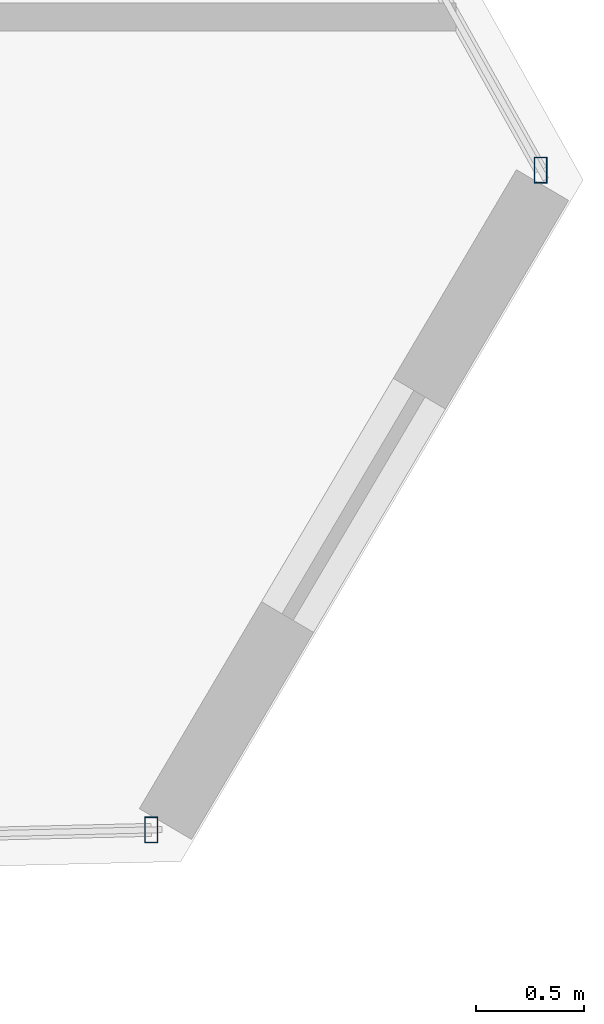
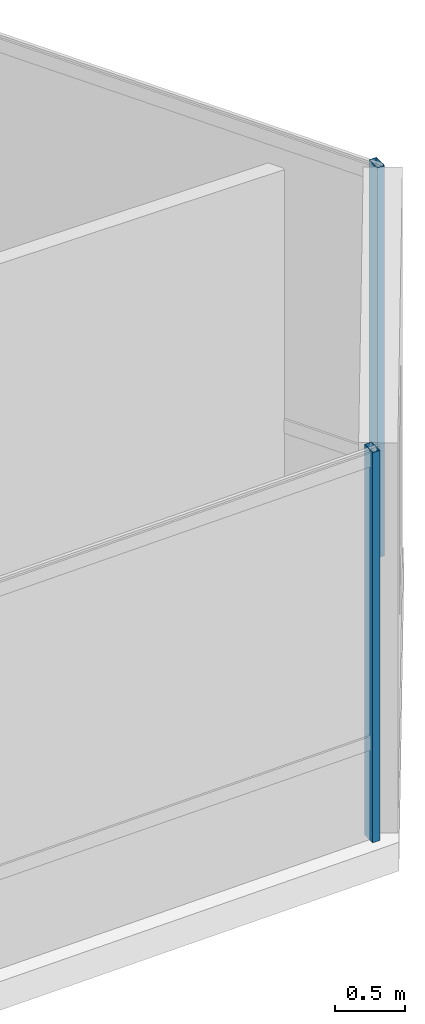
# One storey, part 26 of 47: 2 members, 2 elements without a shape of their own.
"""IFC4 building model written with IfcOpenShell, lengths in metres."""

from ifc_helpers import new_model, si_unit, direction, frame, origin, origin_2d, place, context, subcontext, project, spatial, hollow_rectangle, extrude, source, transform, mapped, material, material_profile, profile_set, type_object, type_shapes, element, aggregate, save


model = new_model("IFC4")

# Units and contexts
model_context = context("Model", 3, precision=1e-05, world=origin(), true_north=direction((0.0, 1.0)))
body_context = subcontext(model_context, "Body", "Model", "MODEL_VIEW")
ifc_project = project(units=[si_unit("LENGTHUNIT", "METRE"), si_unit("AREAUNIT", "SQUARE_METRE"), si_unit("VOLUMEUNIT", "CUBIC_METRE"), si_unit("PLANEANGLEUNIT", "RADIAN"), si_unit("MASSUNIT", "GRAM", prefix="KILO")], contexts=[model_context])

# Site, building, storey
site_placement = place(None, origin())
site = spatial("IfcSite", under=ifc_project, at=site_placement, CompositionType="ELEMENT")
building_placement = place(site_placement, origin())
building = spatial("IfcBuilding", under=site, at=building_placement, Name="Caelisora Broadcast Tower", CompositionType="ELEMENT")
storey_placement = place(building_placement, frame((0.0, 0.0, 255.39990234375)))
storey = spatial("IfcBuildingStorey", under=building, at=storey_placement, Name="L67", CompositionType="ELEMENT", Elevation=255.39990234375)

# Curtain wall, member
ifc_material_1 = material(Name="Unitised Aluminium and Low-E Glass Curtain Wall", Category="glass")
curtain_wall_type = type_object("IfcCurtainWallType", Name="CW-Z5", PredefinedType="NOTDEFINED", material=ifc_material_1)
curtain_wall_1_placement = place(storey_placement, origin())
curtain_wall_1 = element("IfcCurtainWall", 1, at=curtain_wall_1_placement, inside=storey, type_object=curtain_wall_type, Name="L67 curtain wall CW-Z5", PredefinedType="NOTDEFINED")
ifc_material_2 = material(Name="Aluminium 6063-T6 Anodised Terracotta Bronze", Category="aluminium")
ifc_material_profile = material_profile(ifc_material_2, hollow_rectangle(XDim=0.06005859375, YDim=0.1201171875, WallThickness=0.0029296875, at=origin_2d()), Name="Aluminium 6063-T6 Anodised Terracotta Bronze")
ifc_profile_set = profile_set([ifc_material_profile], Name="Aluminium 6063-T6 Anodised Terracotta Bronze")
member_type = type_object("IfcMemberType", Name="CWM-04", PredefinedType="MULLION", material=ifc_profile_set)
shared_shape = source(origin(), body_context, "Body", "SweptSolid", [
    extrude(hollow_rectangle(XDim=0.06005859375, YDim=0.1201171875, WallThickness=0.0029296875, at=origin_2d()), origin(), (0.0, 0.0, 1.0), 3.400146484375),
])
type_shapes(member_type, [shared_shape])
member_1_placement = place(storey_placement, frame((62.470703125, 11.881591796875, 0.0), z_axis=(0.0, 0.0, 1.0), x_axis=(1.0, 0.0, 0.0)))
member_1 = element("IfcMember", 2, at=member_1_placement, type_object=member_type, Name="L67-CW-B03 mullion #3", PredefinedType="MULLION", context=body_context, shape_type="MappedRepresentation", body=[
    mapped(shared_shape, transform((0.0, 0.0, 0.0), scale=1.0)),
])
aggregate(curtain_wall_1, [member_1])

curtain_wall_2_placement = place(storey_placement, origin())
curtain_wall_2 = element("IfcCurtainWall", 3, at=curtain_wall_2_placement, inside=storey, type_object=curtain_wall_type, Name="L67 curtain wall CW-Z5", PredefinedType="NOTDEFINED")
member_2_placement = place(storey_placement, frame((60.669921875, 8.829833984375, 0.0), z_axis=(0.0, 0.0, 1.0), x_axis=(1.0, 0.0, 0.0)))
member_2 = element("IfcMember", 4, at=member_2_placement, type_object=member_type, Name="L67-CW-B05 mullion #0", PredefinedType="MULLION", context=body_context, shape_type="MappedRepresentation", body=[
    mapped(shared_shape, transform((0.0, 0.0, 0.0), scale=1.0)),
])
aggregate(curtain_wall_2, [member_2])

save(model, "model.ifc")
